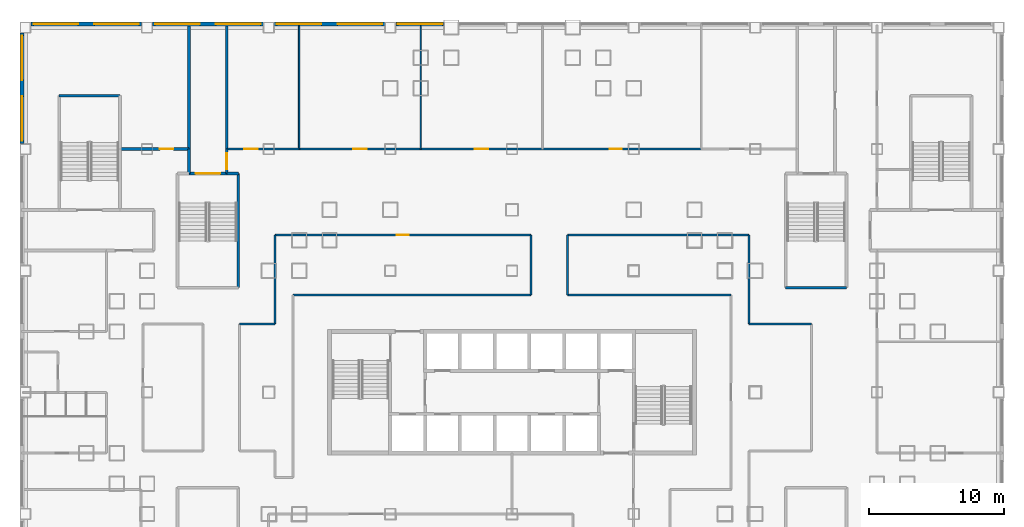
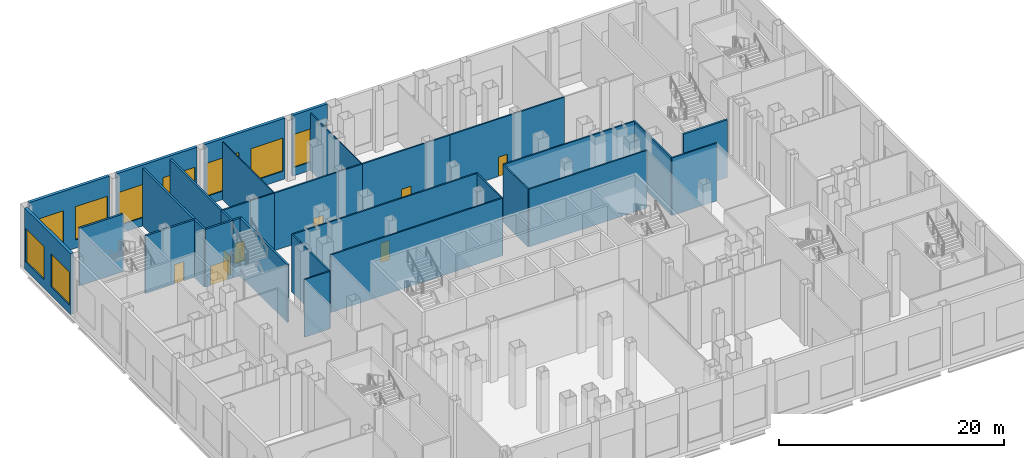
# One storey, part 6 of 26: 31 walls, 9 windows, 8 doors, 17 openings.
"""IFC4 building model written with IfcOpenShell, lengths in metres."""

from ifc_helpers import new_model, si_unit, direction, frame, frame_2d, origin, place, context, subcontext, project, spatial, rectangle, extrude, material, layer, layer_set, type_object, element, fill, save


model = new_model("IFC4")

# Units and contexts
model_context = context("Model", 3, precision=1e-05, world=origin(), true_north=direction((0.0, 1.0)))
body_context = subcontext(model_context, "Body", "Model", "MODEL_VIEW")
ifc_project = project(units=[si_unit("LENGTHUNIT", "METRE"), si_unit("AREAUNIT", "SQUARE_METRE"), si_unit("VOLUMEUNIT", "CUBIC_METRE"), si_unit("PLANEANGLEUNIT", "RADIAN"), si_unit("MASSUNIT", "GRAM", prefix="KILO")], contexts=[model_context])

# Site, building, storey
site_placement = place(None, origin())
site = spatial("IfcSite", under=ifc_project, at=site_placement, CompositionType="ELEMENT")
building_placement = place(site_placement, origin())
building = spatial("IfcBuilding", under=site, at=building_placement, Name="Caravel Reach Hotel and Residences", CompositionType="ELEMENT")
storey_placement = place(building_placement, frame((0.0, 0.0, 17.39990234375)))
storey = spatial("IfcBuildingStorey", under=building, at=storey_placement, Name="L03", CompositionType="ELEMENT", Elevation=17.39990234375)

# Wall, opening, door
ifc_material_1 = material(Name="Autoclaved aerated block wall")
ifc_layer_1 = layer(ifc_material_1, 0.199951171875)
ifc_layer_set_1 = layer_set([ifc_layer_1], Name="Compartment wall 200 mm EI 120")
wall_type_1 = type_object("IfcWallType", Name="Compartment wall 200 mm EI 120", PredefinedType="PARTITIONING", material=ifc_layer_set_1)
wall_1_placement = place(storey_placement, frame((2.5, 45.0, 0.0), z_axis=(0.0, 0.0, 1.0), x_axis=(1.0, 0.0, 0.0)))
wall_1 = element("IfcWall", 1, at=wall_1_placement, inside=storey, type_object=wall_type_1, Name="L03 wall w084", PredefinedType="PARTITIONING", context=body_context, shape_type="SweptSolid", body=[
    extrude(rectangle(XDim=5.10009765625, YDim=0.199951171875, at=frame_2d((2.550048828125, 0.0))), origin(), (0.0, 0.0, 1.0), 6.25),
])
opening_1_placement = place(wall_1_placement, frame((2.949951171875, 0.0, 0.0)))
opening_1 = element("IfcOpeningElement", 2, at=opening_1_placement, cuts=wall_1, Name="Opening D03-033", PredefinedType="OPENING", context=body_context, shape_type="SweptSolid", body=[
    extrude(rectangle(XDim=1.0, YDim=2.10009765625, at=frame_2d((0.5, 1.050048828125))), frame((0.0, 0.10986328125, 0.0), z_axis=(0.0, -1.0, 0.0), x_axis=(1.0, 0.0, 0.0)), (0.0, 0.0, 1.0), 0.219970703125),
])
ifc_material_2 = material(Name="Steel fire door leaf", Category="steel")
door_type_1 = type_object("IfcDoorType", Name="Fire door 1000 x 2100 EI 60", OperationType="SINGLE_SWING_LEFT", PredefinedType="DOOR", material=ifc_material_2)
door_1_placement = place(opening_1_placement, origin())
door_1 = element("IfcDoor", 3, at=door_1_placement, inside=storey, type_object=door_type_1, Name="door D03-033", OperationType="SINGLE_SWING_RIGHT", OverallHeight=2.10009765625, OverallWidth=1.0, PredefinedType="DOOR", context=body_context, shape_type="SweptSolid", body=[
    extrude(rectangle(XDim=1.0, YDim=2.10009765625, at=frame_2d((0.5, 1.050048828125))), frame((0.0, 0.02490234375, 0.0), z_axis=(0.0, -1.0, 0.0), x_axis=(1.0, 0.0, 0.0)), (0.0, 0.0, 1.0), 0.050048828125),
])
fill(opening_1, door_1)

wall_2_placement = place(storey_placement, frame((10.39990234375, 43.199951171875, 0.0), z_axis=(0.0, 0.0, 1.0), x_axis=(0.0, 1.0, 0.0)))
wall_2 = element("IfcWall", 4, at=wall_2_placement, inside=storey, type_object=wall_type_1, Name="L03 wall w085", PredefinedType="PARTITIONING", context=body_context, shape_type="SweptSolid", body=[
    extrude(rectangle(XDim=1.800048828125, YDim=0.199951171875, at=frame_2d((0.89990234375, 0.0))), origin(), (0.0, 0.0, 1.0), 6.25),
])
opening_2_placement = place(wall_2_placement, frame((0.300048828125, 0.0, 0.0)))
opening_2 = element("IfcOpeningElement", 5, at=opening_2_placement, cuts=wall_2, Name="Opening D03-014", PredefinedType="OPENING", context=body_context, shape_type="SweptSolid", body=[
    extrude(rectangle(XDim=1.199951171875, YDim=2.10009765625, at=frame_2d((0.60009765625, 1.050048828125))), frame((0.0, 0.10986328125, 0.0), z_axis=(0.0, -1.0, 0.0), x_axis=(1.0, 0.0, 0.0)), (0.0, 0.0, 1.0), 0.219970703125),
])
ifc_material_3 = material(Name="Steel fire door leaf", Category="steel")
door_type_2 = type_object("IfcDoorType", Name="Fire lobby door 1200 x 2100 EI 90", OperationType="SINGLE_SWING_LEFT", PredefinedType="DOOR", material=ifc_material_3)
door_2_placement = place(opening_2_placement, origin())
door_2 = element("IfcDoor", 6, at=door_2_placement, inside=storey, type_object=door_type_2, Name="door D03-014", OperationType="SINGLE_SWING_LEFT", OverallHeight=2.10009765625, OverallWidth=1.199951171875, PredefinedType="DOOR", context=body_context, shape_type="SweptSolid", body=[
    extrude(rectangle(XDim=1.199951171875, YDim=2.10009765625, at=frame_2d((0.60009765625, 1.050048828125))), frame((0.0, 0.02490234375, 0.0), z_axis=(0.0, -1.0, 0.0), x_axis=(1.0, 0.0, 0.0)), (0.0, 0.0, 1.0), 0.050048828125),
])
fill(opening_2, door_2)

# Walls
wall_3_placement = place(storey_placement, frame((10.39990234375, 45.0, 0.0), z_axis=(0.0, 0.0, 1.0), x_axis=(0.0, 1.0, 0.0)))
element("IfcWall", 7, at=wall_3_placement, inside=storey, type_object=wall_type_1, Name="L03 wall w086", PredefinedType="PARTITIONING", context=body_context, shape_type="SweptSolid", body=[
    extrude(rectangle(XDim=9.1201171875, YDim=0.199951171875, at=frame_2d((4.56005859375, 0.0))), origin(), (0.0, 0.0, 1.0), 6.25),
])
wall_4_placement = place(storey_placement, frame((7.60009765625, 43.199951171875, 0.0), z_axis=(0.0, 0.0, 1.0), x_axis=(0.0, 1.0, 0.0)))
element("IfcWall", 8, at=wall_4_placement, inside=storey, type_object=wall_type_1, Name="L03 wall w096", PredefinedType="PARTITIONING", context=body_context, shape_type="SweptSolid", body=[
    extrude(rectangle(XDim=1.800048828125, YDim=0.199951171875, at=frame_2d((0.89990234375, 0.0))), origin(), (0.0, 0.0, 1.0), 6.25),
])
wall_5_placement = place(storey_placement, frame((7.60009765625, 45.0, 0.0), z_axis=(0.0, 0.0, 1.0), x_axis=(0.0, 1.0, 0.0)))
element("IfcWall", 9, at=wall_5_placement, inside=storey, type_object=wall_type_1, Name="L03 wall w097", PredefinedType="PARTITIONING", context=body_context, shape_type="SweptSolid", body=[
    extrude(rectangle(XDim=9.1201171875, YDim=0.199951171875, at=frame_2d((4.56005859375, 0.0))), origin(), (0.0, 0.0, 1.0), 6.25),
])
ifc_material_4 = material(Name="Gypsum board on steel stud, fire-rated", Category="steel")
ifc_layer_2 = layer(ifc_material_4, 0.14990234375)
ifc_layer_set_2 = layer_set([ifc_layer_2], Name="Corridor wall 150 mm EI 60")
wall_type_2 = type_object("IfcWallType", Name="Corridor wall 150 mm EI 60", PredefinedType="PARTITIONING", material=ifc_layer_set_2)
wall_6_placement = place(storey_placement, frame((49.050048828125, 32.050048828125, 0.0), z_axis=(0.0, 0.0, 1.0), x_axis=(1.0, 0.0, 0.0)))
element("IfcWall", 10, at=wall_6_placement, inside=storey, type_object=wall_type_2, Name="L03 wall w018", PredefinedType="PARTITIONING", context=body_context, shape_type="SweptSolid", body=[
    extrude(rectangle(XDim=4.599853515625, YDim=0.14990234375, at=frame_2d((2.2998046875, 0.0))), origin(), (0.0, 0.0, 1.0), 6.25),
])
wall_7_placement = place(storey_placement, frame((11.35009765625, 32.050048828125, 0.0), z_axis=(0.0, 0.0, 1.0), x_axis=(1.0, 0.0, 0.0)))
element("IfcWall", 11, at=wall_7_placement, inside=storey, type_object=wall_type_2, Name="L03 wall w019", PredefinedType="PARTITIONING", context=body_context, shape_type="SweptSolid", body=[
    extrude(rectangle(XDim=2.599853515625, YDim=0.14990234375, at=frame_2d((1.2998046875, 0.0))), origin(), (0.0, 0.0, 1.0), 6.25),
])
wall_8_placement = place(storey_placement, frame((35.60009765625, 34.199951171875, 0.0), z_axis=(0.0, 0.0, 1.0), x_axis=(1.0, 0.0, 0.0)))
element("IfcWall", 12, at=wall_8_placement, inside=storey, type_object=wall_type_2, Name="L03 wall w021", PredefinedType="PARTITIONING", context=body_context, shape_type="SweptSolid", body=[
    extrude(rectangle(XDim=12.099853515625, YDim=0.14990234375, at=frame_2d((6.0498046875, 0.0))), origin(), (0.0, 0.0, 1.0), 6.25),
])
wall_9_placement = place(storey_placement, frame((15.300048828125, 34.199951171875, 0.0), z_axis=(0.0, 0.0, 1.0), x_axis=(1.0, 0.0, 0.0)))
element("IfcWall", 13, at=wall_9_placement, inside=storey, type_object=wall_type_2, Name="L03 wall w022", PredefinedType="PARTITIONING", context=body_context, shape_type="SweptSolid", body=[
    extrude(rectangle(XDim=17.599853515625, YDim=0.14990234375, at=frame_2d((8.7998046875, 0.0))), origin(), (0.0, 0.0, 1.0), 6.25),
])
wall_10_placement = place(storey_placement, frame((35.60009765625, 38.64990234375, 0.0), z_axis=(0.0, 0.0, 1.0), x_axis=(1.0, 0.0, 0.0)))
element("IfcWall", 14, at=wall_10_placement, inside=storey, type_object=wall_type_2, Name="L03 wall w023", PredefinedType="PARTITIONING", context=body_context, shape_type="SweptSolid", body=[
    extrude(rectangle(XDim=13.449951171875, YDim=0.14990234375, at=frame_2d((6.72509765625, 0.0))), origin(), (0.0, 0.0, 1.0), 6.25),
])

# Wall, opening, door
wall_11_placement = place(storey_placement, frame((13.949951171875, 38.64990234375, 0.0), z_axis=(0.0, 0.0, 1.0), x_axis=(1.0, 0.0, 0.0)))
wall_11 = element("IfcWall", 15, at=wall_11_placement, inside=storey, type_object=wall_type_2, Name="L03 wall w024", PredefinedType="PARTITIONING", context=body_context, shape_type="SweptSolid", body=[
    extrude(rectangle(XDim=18.949951171875, YDim=0.14990234375, at=frame_2d((9.47509765625, 0.0))), origin(), (0.0, 0.0, 1.0), 6.25),
])
opening_3_placement = place(wall_11_placement, frame((9.02490234375, 0.0, 0.0)))
opening_3 = element("IfcOpeningElement", 16, at=opening_3_placement, cuts=wall_11, Name="Opening D03-046", PredefinedType="OPENING", context=body_context, shape_type="SweptSolid", body=[
    extrude(rectangle(XDim=0.89990234375, YDim=2.10009765625, at=frame_2d((0.449951171875, 1.050048828125))), frame((0.0, 0.0849609375, 0.0), z_axis=(0.0, -1.0, 0.0), x_axis=(1.0, 0.0, 0.0)), (0.0, 0.0, 1.0), 0.169921875),
])
ifc_material_5 = material(Name="Timber and steel door leaf", Category="steel")
door_type_3 = type_object("IfcDoorType", Name="Door 900 x 2100 timber", OperationType="SINGLE_SWING_LEFT", PredefinedType="DOOR", material=ifc_material_5)
door_3_placement = place(opening_3_placement, origin())
door_3 = element("IfcDoor", 17, at=door_3_placement, inside=storey, type_object=door_type_3, Name="door D03-046", OperationType="SINGLE_SWING_RIGHT", OverallHeight=2.10009765625, OverallWidth=0.89990234375, PredefinedType="DOOR", context=body_context, shape_type="SweptSolid", body=[
    extrude(rectangle(XDim=0.89990234375, YDim=2.10009765625, at=frame_2d((0.449951171875, 1.050048828125))), frame((0.0, 0.02490234375, 0.0), z_axis=(0.0, -1.0, 0.0), x_axis=(1.0, 0.0, 0.0)), (0.0, 0.0, 1.0), 0.050048828125),
])
fill(opening_3, door_3)

wall_12_placement = place(storey_placement, frame((10.39990234375, 45.0, 0.0), z_axis=(0.0, 0.0, 1.0), x_axis=(1.0, 0.0, 0.0)))
wall_12 = element("IfcWall", 18, at=wall_12_placement, inside=storey, type_object=wall_type_2, Name="L03 wall w025", PredefinedType="PARTITIONING", context=body_context, shape_type="SweptSolid", body=[
    extrude(rectangle(XDim=5.35009765625, YDim=0.14990234375, at=frame_2d((2.675048828125, 0.0))), origin(), (0.0, 0.0, 1.0), 6.25),
])
opening_4_placement = place(wall_12_placement, frame((1.27490234375, 0.0, 0.0)))
opening_4 = element("IfcOpeningElement", 19, at=opening_4_placement, cuts=wall_12, Name="Opening D03-034", PredefinedType="OPENING", context=body_context, shape_type="SweptSolid", body=[
    extrude(rectangle(XDim=1.0, YDim=2.10009765625, at=frame_2d((0.5, 1.050048828125))), frame((0.0, 0.0849609375, 0.0), z_axis=(0.0, -1.0, 0.0), x_axis=(1.0, 0.0, 0.0)), (0.0, 0.0, 1.0), 0.169921875),
])
door_4_placement = place(opening_4_placement, origin())
door_4 = element("IfcDoor", 20, at=door_4_placement, inside=storey, type_object=door_type_1, Name="door D03-034", OperationType="SINGLE_SWING_LEFT", OverallHeight=2.10009765625, OverallWidth=1.0, PredefinedType="DOOR", context=body_context, shape_type="SweptSolid", body=[
    extrude(rectangle(XDim=1.0, YDim=2.10009765625, at=frame_2d((0.5, 1.050048828125))), frame((0.0, 0.02490234375, 0.0), z_axis=(0.0, -1.0, 0.0), x_axis=(1.0, 0.0, 0.0)), (0.0, 0.0, 1.0), 0.050048828125),
])
fill(opening_4, door_4)

wall_13_placement = place(storey_placement, frame((15.75, 45.0, 0.0), z_axis=(0.0, 0.0, 1.0), x_axis=(1.0, 0.0, 0.0)))
wall_13 = element("IfcWall", 21, at=wall_13_placement, inside=storey, type_object=wall_type_2, Name="L03 wall w026", PredefinedType="PARTITIONING", context=body_context, shape_type="SweptSolid", body=[
    extrude(rectangle(XDim=9.0, YDim=0.14990234375, at=frame_2d((4.5, 0.0))), origin(), (0.0, 0.0, 1.0), 6.25),
])
opening_5_placement = place(wall_13_placement, frame((4.0, 0.0, 0.0)))
opening_5 = element("IfcOpeningElement", 22, at=opening_5_placement, cuts=wall_13, Name="Opening D03-035", PredefinedType="OPENING", context=body_context, shape_type="SweptSolid", body=[
    extrude(rectangle(XDim=1.0, YDim=2.10009765625, at=frame_2d((0.5, 1.050048828125))), frame((0.0, 0.0849609375, 0.0), z_axis=(0.0, -1.0, 0.0), x_axis=(1.0, 0.0, 0.0)), (0.0, 0.0, 1.0), 0.169921875),
])
door_5_placement = place(opening_5_placement, origin())
door_5 = element("IfcDoor", 23, at=door_5_placement, inside=storey, type_object=door_type_1, Name="door D03-035", OperationType="SINGLE_SWING_RIGHT", OverallHeight=2.10009765625, OverallWidth=1.0, PredefinedType="DOOR", context=body_context, shape_type="SweptSolid", body=[
    extrude(rectangle(XDim=1.0, YDim=2.10009765625, at=frame_2d((0.5, 1.050048828125))), frame((0.0, 0.02490234375, 0.0), z_axis=(0.0, -1.0, 0.0), x_axis=(1.0, 0.0, 0.0)), (0.0, 0.0, 1.0), 0.050048828125),
])
fill(opening_5, door_5)

wall_14_placement = place(storey_placement, frame((24.75, 45.0, 0.0), z_axis=(0.0, 0.0, 1.0), x_axis=(1.0, 0.0, 0.0)))
wall_14 = element("IfcWall", 24, at=wall_14_placement, inside=storey, type_object=wall_type_2, Name="L03 wall w027", PredefinedType="PARTITIONING", context=body_context, shape_type="SweptSolid", body=[
    extrude(rectangle(XDim=9.0, YDim=0.14990234375, at=frame_2d((4.5, 0.0))), origin(), (0.0, 0.0, 1.0), 6.25),
])
opening_6_placement = place(wall_14_placement, frame((4.0, 0.0, 0.0)))
opening_6 = element("IfcOpeningElement", 25, at=opening_6_placement, cuts=wall_14, Name="Opening D03-036", PredefinedType="OPENING", context=body_context, shape_type="SweptSolid", body=[
    extrude(rectangle(XDim=1.0, YDim=2.10009765625, at=frame_2d((0.5, 1.050048828125))), frame((0.0, 0.0849609375, 0.0), z_axis=(0.0, -1.0, 0.0), x_axis=(1.0, 0.0, 0.0)), (0.0, 0.0, 1.0), 0.169921875),
])
door_6_placement = place(opening_6_placement, origin())
door_6 = element("IfcDoor", 26, at=door_6_placement, inside=storey, type_object=door_type_1, Name="door D03-036", OperationType="SINGLE_SWING_RIGHT", OverallHeight=2.10009765625, OverallWidth=1.0, PredefinedType="DOOR", context=body_context, shape_type="SweptSolid", body=[
    extrude(rectangle(XDim=1.0, YDim=2.10009765625, at=frame_2d((0.5, 1.050048828125))), frame((0.0, 0.02490234375, 0.0), z_axis=(0.0, -1.0, 0.0), x_axis=(1.0, 0.0, 0.0)), (0.0, 0.0, 1.0), 0.050048828125),
])
fill(opening_6, door_6)

wall_15_placement = place(storey_placement, frame((33.75, 45.0, 0.0), z_axis=(0.0, 0.0, 1.0), x_axis=(1.0, 0.0, 0.0)))
wall_15 = element("IfcWall", 27, at=wall_15_placement, inside=storey, type_object=wall_type_2, Name="L03 wall w028", PredefinedType="PARTITIONING", context=body_context, shape_type="SweptSolid", body=[
    extrude(rectangle(XDim=11.75, YDim=0.14990234375, at=frame_2d((5.875, 0.0))), origin(), (0.0, 0.0, 1.0), 6.25),
])
opening_7_placement = place(wall_15_placement, frame((4.97509765625, 0.0, 0.0)))
opening_7 = element("IfcOpeningElement", 28, at=opening_7_placement, cuts=wall_15, Name="Opening D03-037", PredefinedType="OPENING", context=body_context, shape_type="SweptSolid", body=[
    extrude(rectangle(XDim=0.89990234375, YDim=2.10009765625, at=frame_2d((0.449951171875, 1.050048828125))), frame((0.0, 0.0849609375, 0.0), z_axis=(0.0, -1.0, 0.0), x_axis=(1.0, 0.0, 0.0)), (0.0, 0.0, 1.0), 0.169921875),
])
door_7_placement = place(opening_7_placement, origin())
door_7 = element("IfcDoor", 29, at=door_7_placement, inside=storey, type_object=door_type_3, Name="door D03-037", OperationType="SINGLE_SWING_LEFT", OverallHeight=2.10009765625, OverallWidth=0.89990234375, PredefinedType="DOOR", context=body_context, shape_type="SweptSolid", body=[
    extrude(rectangle(XDim=0.89990234375, YDim=2.10009765625, at=frame_2d((0.449951171875, 1.050048828125))), frame((0.0, 0.02490234375, 0.0), z_axis=(0.0, -1.0, 0.0), x_axis=(1.0, 0.0, 0.0)), (0.0, 0.0, 1.0), 0.050048828125),
])
fill(opening_7, door_7)

# Walls
wall_16_placement = place(storey_placement, frame((13.949951171875, 32.050048828125, 0.0), z_axis=(0.0, 0.0, 1.0), x_axis=(0.0, 1.0, 0.0)))
element("IfcWall", 30, at=wall_16_placement, inside=storey, type_object=wall_type_2, Name="L03 wall w037", PredefinedType="PARTITIONING", context=body_context, shape_type="SweptSolid", body=[
    extrude(rectangle(XDim=6.599853515625, YDim=0.14990234375, at=frame_2d((3.2998046875, 0.0))), origin(), (0.0, 0.0, 1.0), 6.25),
])
for number, where, z_axis, x_axis, name in (
    (31, (32.89990234375, 34.199951171875, 0.0), (0.0, 0.0, 1.0), (0.0, 1.0, 0.0), "L03 wall w040"),
    (32, (35.60009765625, 34.199951171875, 0.0), (0.0, 0.0, 1.0), (0.0, 1.0, 0.0), "L03 wall w041"),
):
    element("IfcWall", number, at=place(storey_placement, frame(where, z_axis=z_axis, x_axis=x_axis)), inside=storey, type_object=wall_type_2, Name=name, PredefinedType="PARTITIONING", context=body_context, shape_type="SweptSolid", body=[
        extrude(rectangle(XDim=4.449951171875, YDim=0.14990234375, at=frame_2d((2.22509765625, 0.0))), origin(), (0.0, 0.0, 1.0), 6.25),
    ])
wall_17_placement = place(storey_placement, frame((49.050048828125, 32.050048828125, 0.0), z_axis=(0.0, 0.0, 1.0), x_axis=(0.0, 1.0, 0.0)))
element("IfcWall", 33, at=wall_17_placement, inside=storey, type_object=wall_type_2, Name="L03 wall w049", PredefinedType="PARTITIONING", context=body_context, shape_type="SweptSolid", body=[
    extrude(rectangle(XDim=6.599853515625, YDim=0.14990234375, at=frame_2d((3.2998046875, 0.0))), origin(), (0.0, 0.0, 1.0), 6.25),
])

# Wall, opening, window
ifc_material_6 = material(Name="Insulated wall, stone cladding", Category="masonry")
ifc_layer_3 = layer(ifc_material_6, 0.300048828125)
ifc_layer_set_3 = layer_set([ifc_layer_3], Name="EW2 Podium stone-clad wall")
wall_type_3 = type_object("IfcWallType", Name="EW2 Podium stone-clad wall", PredefinedType="SOLIDWALL", material=ifc_layer_set_3)
wall_18_placement = place(storey_placement, frame((26.449951171875, 54.25, 0.0), z_axis=(0.0, 0.0, 1.0), x_axis=(-1.0, 0.0, 0.0)))
wall_18 = element("IfcWall", 34, at=wall_18_placement, inside=storey, type_object=wall_type_3, Name="External wall L03 N2.7", PredefinedType="SOLIDWALL", context=body_context, shape_type="SweptSolid", body=[
    extrude(rectangle(XDim=3.550048828125, YDim=0.300048828125, at=frame_2d((1.77490234375, 0.0))), origin(), (0.0, 0.0, 1.0), 6.60009765625),
])
opening_8_placement = place(wall_18_placement, frame((0.10009765625, 0.0, 0.89990234375)))
opening_8 = element("IfcOpeningElement", 35, at=opening_8_placement, cuts=wall_18, Name="Opening WN31", PredefinedType="OPENING", context=body_context, shape_type="SweptSolid", body=[
    extrude(rectangle(XDim=3.300048828125, YDim=3.60009765625, at=frame_2d((1.64990234375, 1.800048828125))), frame((0.0, 0.159912109375, 0.0), z_axis=(0.0, -1.0, 0.0), x_axis=(1.0, 0.0, 0.0)), (0.0, 0.0, 1.0), 0.320068359375),
])
ifc_material_7 = material(Name="Dark low-e glazing in black aluminium frame", Category="aluminium")
window_type = type_object("IfcWindowType", Name="Podium window 3300 x 3600", PartitioningType="SINGLE_PANEL", PredefinedType="WINDOW", material=ifc_material_7)
window_1_placement = place(opening_8_placement, origin())
window_1 = element("IfcWindow", 36, at=window_1_placement, inside=storey, type_object=window_type, Name="Window L03 N2.7.1", OverallHeight=3.60009765625, OverallWidth=3.300048828125, PartitioningType="SINGLE_PANEL", PredefinedType="WINDOW", context=body_context, shape_type="SweptSolid", body=[
    extrude(rectangle(XDim=3.300048828125, YDim=3.60009765625, at=frame_2d((1.64990234375, 1.800048828125))), frame((0.0, 0.030029296875, 0.0), z_axis=(0.0, -1.0, 0.0), x_axis=(1.0, 0.0, 0.0)), (0.0, 0.0, 1.0), 0.06005859375),
])
fill(opening_8, window_1)

# Wall, openings, windows
wall_19_placement = place(storey_placement, frame((22.10009765625, 54.25, 0.0), z_axis=(0.0, 0.0, 1.0), x_axis=(-1.0, 0.0, 0.0)))
wall_19 = element("IfcWall", 37, at=wall_19_placement, inside=storey, type_object=wall_type_3, Name="External wall L03 N2.8", PredefinedType="SOLIDWALL", context=body_context, shape_type="SweptSolid", body=[
    extrude(rectangle(XDim=8.2001953125, YDim=0.300048828125, at=frame_2d((4.10009765625, 0.0))), origin(), (0.0, 0.0, 1.0), 6.60009765625),
])
opening_9_placement = place(wall_19_placement, frame((0.199951171875, 0.0, 0.89990234375)))
opening_9 = element("IfcOpeningElement", 38, at=opening_9_placement, cuts=wall_19, Name="Opening WN31", PredefinedType="OPENING", context=body_context, shape_type="SweptSolid", body=[
    extrude(rectangle(XDim=3.300048828125, YDim=3.60009765625, at=frame_2d((1.64990234375, 1.800048828125))), frame((0.0, 0.159912109375, 0.0), z_axis=(0.0, -1.0, 0.0), x_axis=(1.0, 0.0, 0.0)), (0.0, 0.0, 1.0), 0.320068359375),
])
opening_10_placement = place(wall_19_placement, frame((4.699951171875, 0.0, 0.89990234375)))
opening_10 = element("IfcOpeningElement", 39, at=opening_10_placement, cuts=wall_19, Name="Opening WN31", PredefinedType="OPENING", context=body_context, shape_type="SweptSolid", body=[
    extrude(rectangle(XDim=3.300048828125, YDim=3.60009765625, at=frame_2d((1.64990234375, 1.800048828125))), frame((0.0, 0.159912109375, 0.0), z_axis=(0.0, -1.0, 0.0), x_axis=(1.0, 0.0, 0.0)), (0.0, 0.0, 1.0), 0.320068359375),
])
window_2_placement = place(opening_9_placement, origin())
window_2 = element("IfcWindow", 40, at=window_2_placement, inside=storey, type_object=window_type, Name="Window L03 N2.8.1", OverallHeight=3.60009765625, OverallWidth=3.300048828125, PartitioningType="SINGLE_PANEL", PredefinedType="WINDOW", context=body_context, shape_type="SweptSolid", body=[
    extrude(rectangle(XDim=3.300048828125, YDim=3.60009765625, at=frame_2d((1.64990234375, 1.800048828125))), frame((0.0, 0.030029296875, 0.0), z_axis=(0.0, -1.0, 0.0), x_axis=(1.0, 0.0, 0.0)), (0.0, 0.0, 1.0), 0.06005859375),
])
fill(opening_9, window_2)
window_3_placement = place(opening_10_placement, origin())
window_3 = element("IfcWindow", 41, at=window_3_placement, inside=storey, type_object=window_type, Name="Window L03 N2.8.2", OverallHeight=3.60009765625, OverallWidth=3.300048828125, PartitioningType="SINGLE_PANEL", PredefinedType="WINDOW", context=body_context, shape_type="SweptSolid", body=[
    extrude(rectangle(XDim=3.300048828125, YDim=3.60009765625, at=frame_2d((1.64990234375, 1.800048828125))), frame((0.0, 0.030029296875, 0.0), z_axis=(0.0, -1.0, 0.0), x_axis=(1.0, 0.0, 0.0)), (0.0, 0.0, 1.0), 0.06005859375),
])
fill(opening_10, window_3)

wall_20_placement = place(storey_placement, frame((13.10009765625, 54.25, 0.0), z_axis=(0.0, 0.0, 1.0), x_axis=(-1.0, 0.0, 0.0)))
wall_20 = element("IfcWall", 42, at=wall_20_placement, inside=storey, type_object=wall_type_3, Name="External wall L03 N2.9", PredefinedType="SOLIDWALL", context=body_context, shape_type="SweptSolid", body=[
    extrude(rectangle(XDim=8.2001953125, YDim=0.300048828125, at=frame_2d((4.10009765625, 0.0))), origin(), (0.0, 0.0, 1.0), 6.60009765625),
])
opening_11_placement = place(wall_20_placement, frame((0.199951171875, 0.0, 0.89990234375)))
opening_11 = element("IfcOpeningElement", 43, at=opening_11_placement, cuts=wall_20, Name="Opening WN31", PredefinedType="OPENING", context=body_context, shape_type="SweptSolid", body=[
    extrude(rectangle(XDim=3.300048828125, YDim=3.60009765625, at=frame_2d((1.64990234375, 1.800048828125))), frame((0.0, 0.159912109375, 0.0), z_axis=(0.0, -1.0, 0.0), x_axis=(1.0, 0.0, 0.0)), (0.0, 0.0, 1.0), 0.320068359375),
])
opening_12_placement = place(wall_20_placement, frame((4.699951171875, 0.0, 0.89990234375)))
opening_12 = element("IfcOpeningElement", 44, at=opening_12_placement, cuts=wall_20, Name="Opening WN31", PredefinedType="OPENING", context=body_context, shape_type="SweptSolid", body=[
    extrude(rectangle(XDim=3.300048828125, YDim=3.60009765625, at=frame_2d((1.64990234375, 1.800048828125))), frame((0.0, 0.159912109375, 0.0), z_axis=(0.0, -1.0, 0.0), x_axis=(1.0, 0.0, 0.0)), (0.0, 0.0, 1.0), 0.320068359375),
])
window_4_placement = place(opening_11_placement, origin())
window_4 = element("IfcWindow", 45, at=window_4_placement, inside=storey, type_object=window_type, Name="Window L03 N2.9.1", OverallHeight=3.60009765625, OverallWidth=3.300048828125, PartitioningType="SINGLE_PANEL", PredefinedType="WINDOW", context=body_context, shape_type="SweptSolid", body=[
    extrude(rectangle(XDim=3.300048828125, YDim=3.60009765625, at=frame_2d((1.64990234375, 1.800048828125))), frame((0.0, 0.030029296875, 0.0), z_axis=(0.0, -1.0, 0.0), x_axis=(1.0, 0.0, 0.0)), (0.0, 0.0, 1.0), 0.06005859375),
])
fill(opening_11, window_4)
window_5_placement = place(opening_12_placement, origin())
window_5 = element("IfcWindow", 46, at=window_5_placement, inside=storey, type_object=window_type, Name="Window L03 N2.9.2", OverallHeight=3.60009765625, OverallWidth=3.300048828125, PartitioningType="SINGLE_PANEL", PredefinedType="WINDOW", context=body_context, shape_type="SweptSolid", body=[
    extrude(rectangle(XDim=3.300048828125, YDim=3.60009765625, at=frame_2d((1.64990234375, 1.800048828125))), frame((0.0, 0.030029296875, 0.0), z_axis=(0.0, -1.0, 0.0), x_axis=(1.0, 0.0, 0.0)), (0.0, 0.0, 1.0), 0.06005859375),
])
fill(opening_12, window_5)

wall_21_placement = place(storey_placement, frame((4.10009765625, 54.25, 0.0), z_axis=(0.0, 0.0, 1.0), x_axis=(-1.0, 0.0, 0.0)))
wall_21 = element("IfcWall", 47, at=wall_21_placement, inside=storey, type_object=wall_type_3, Name="External wall L03 N2.10", PredefinedType="SOLIDWALL", context=body_context, shape_type="SweptSolid", body=[
    extrude(rectangle(XDim=8.2001953125, YDim=0.300048828125, at=frame_2d((4.10009765625, 0.0))), origin(), (0.0, 0.0, 1.0), 6.60009765625),
])
opening_13_placement = place(wall_21_placement, frame((0.199951171875, 0.0, 0.89990234375)))
opening_13 = element("IfcOpeningElement", 48, at=opening_13_placement, cuts=wall_21, Name="Opening WN31", PredefinedType="OPENING", context=body_context, shape_type="SweptSolid", body=[
    extrude(rectangle(XDim=3.300048828125, YDim=3.60009765625, at=frame_2d((1.64990234375, 1.800048828125))), frame((0.0, 0.159912109375, 0.0), z_axis=(0.0, -1.0, 0.0), x_axis=(1.0, 0.0, 0.0)), (0.0, 0.0, 1.0), 0.320068359375),
])
opening_14_placement = place(wall_21_placement, frame((4.699951171875, 0.0, 0.89990234375)))
opening_14 = element("IfcOpeningElement", 49, at=opening_14_placement, cuts=wall_21, Name="Opening WN31", PredefinedType="OPENING", context=body_context, shape_type="SweptSolid", body=[
    extrude(rectangle(XDim=3.300048828125, YDim=3.60009765625, at=frame_2d((1.64990234375, 1.800048828125))), frame((0.0, 0.159912109375, 0.0), z_axis=(0.0, -1.0, 0.0), x_axis=(1.0, 0.0, 0.0)), (0.0, 0.0, 1.0), 0.320068359375),
])
window_6_placement = place(opening_13_placement, origin())
window_6 = element("IfcWindow", 50, at=window_6_placement, inside=storey, type_object=window_type, Name="Window L03 N2.10.1", OverallHeight=3.60009765625, OverallWidth=3.300048828125, PartitioningType="SINGLE_PANEL", PredefinedType="WINDOW", context=body_context, shape_type="SweptSolid", body=[
    extrude(rectangle(XDim=3.300048828125, YDim=3.60009765625, at=frame_2d((1.64990234375, 1.800048828125))), frame((0.0, 0.030029296875, 0.0), z_axis=(0.0, -1.0, 0.0), x_axis=(1.0, 0.0, 0.0)), (0.0, 0.0, 1.0), 0.06005859375),
])
fill(opening_13, window_6)
window_7_placement = place(opening_14_placement, origin())
window_7 = element("IfcWindow", 51, at=window_7_placement, inside=storey, type_object=window_type, Name="Window L03 N2.10.2", OverallHeight=3.60009765625, OverallWidth=3.300048828125, PartitioningType="SINGLE_PANEL", PredefinedType="WINDOW", context=body_context, shape_type="SweptSolid", body=[
    extrude(rectangle(XDim=3.300048828125, YDim=3.60009765625, at=frame_2d((1.64990234375, 1.800048828125))), frame((0.0, 0.030029296875, 0.0), z_axis=(0.0, -1.0, 0.0), x_axis=(1.0, 0.0, 0.0)), (0.0, 0.0, 1.0), 0.06005859375),
])
fill(opening_14, window_7)

wall_22_placement = place(storey_placement, frame((-4.75, 53.60009765625, 0.0), z_axis=(0.0, 0.0, 1.0), x_axis=(0.0, -1.0, 0.0)))
wall_22 = element("IfcWall", 52, at=wall_22_placement, inside=storey, type_object=wall_type_3, Name="External wall L03 W3.1", PredefinedType="SOLIDWALL", context=body_context, shape_type="SweptSolid", body=[
    extrude(rectangle(XDim=8.2001953125, YDim=0.300048828125, at=frame_2d((4.10009765625, 0.0))), origin(), (0.0, 0.0, 1.0), 6.60009765625),
])
opening_15_placement = place(wall_22_placement, frame((0.199951171875, 0.0, 0.89990234375)))
opening_15 = element("IfcOpeningElement", 53, at=opening_15_placement, cuts=wall_22, Name="Opening WN31", PredefinedType="OPENING", context=body_context, shape_type="SweptSolid", body=[
    extrude(rectangle(XDim=3.300048828125, YDim=3.60009765625, at=frame_2d((1.64990234375, 1.800048828125))), frame((0.0, 0.159912109375, 0.0), z_axis=(0.0, -1.0, 0.0), x_axis=(1.0, 0.0, 0.0)), (0.0, 0.0, 1.0), 0.320068359375),
])
opening_16_placement = place(wall_22_placement, frame((4.699951171875, 0.0, 0.89990234375)))
opening_16 = element("IfcOpeningElement", 54, at=opening_16_placement, cuts=wall_22, Name="Opening WN31", PredefinedType="OPENING", context=body_context, shape_type="SweptSolid", body=[
    extrude(rectangle(XDim=3.300048828125, YDim=3.60009765625, at=frame_2d((1.64990234375, 1.800048828125))), frame((0.0, 0.159912109375, 0.0), z_axis=(0.0, -1.0, 0.0), x_axis=(1.0, 0.0, 0.0)), (0.0, 0.0, 1.0), 0.320068359375),
])
window_8_placement = place(opening_15_placement, origin())
window_8 = element("IfcWindow", 55, at=window_8_placement, inside=storey, type_object=window_type, Name="Window L03 W3.1.1", OverallHeight=3.60009765625, OverallWidth=3.300048828125, PartitioningType="SINGLE_PANEL", PredefinedType="WINDOW", context=body_context, shape_type="SweptSolid", body=[
    extrude(rectangle(XDim=3.300048828125, YDim=3.60009765625, at=frame_2d((1.64990234375, 1.800048828125))), frame((0.0, 0.030029296875, 0.0), z_axis=(0.0, -1.0, 0.0), x_axis=(1.0, 0.0, 0.0)), (0.0, 0.0, 1.0), 0.06005859375),
])
fill(opening_15, window_8)
window_9_placement = place(opening_16_placement, origin())
window_9 = element("IfcWindow", 56, at=window_9_placement, inside=storey, type_object=window_type, Name="Window L03 W3.1.2", OverallHeight=3.60009765625, OverallWidth=3.300048828125, PartitioningType="SINGLE_PANEL", PredefinedType="WINDOW", context=body_context, shape_type="SweptSolid", body=[
    extrude(rectangle(XDim=3.300048828125, YDim=3.60009765625, at=frame_2d((1.64990234375, 1.800048828125))), frame((0.0, 0.030029296875, 0.0), z_axis=(0.0, -1.0, 0.0), x_axis=(1.0, 0.0, 0.0)), (0.0, 0.0, 1.0), 0.06005859375),
])
fill(opening_16, window_9)

# Walls
ifc_material_8 = material(Name="Gypsum board on steel stud", Category="steel")
ifc_layer_4 = layer(ifc_material_8, 0.10009765625)
ifc_layer_set_4 = layer_set([ifc_layer_4], Name="Partition 100 mm")
wall_type_4 = type_object("IfcWallType", Name="Partition 100 mm", PredefinedType="PARTITIONING", material=ifc_layer_set_4)
for number, where, z_axis, x_axis, name in (
    (57, (15.75, 45.0, 0.0), (0.0, 0.0, 1.0), (0.0, 1.0, 0.0), "L03 wall w064"),
    (58, (24.75, 45.0, 0.0), (0.0, 0.0, 1.0), (0.0, 1.0, 0.0), "L03 wall w065"),
):
    element("IfcWall", number, at=place(storey_placement, frame(where, z_axis=z_axis, x_axis=x_axis)), inside=storey, type_object=wall_type_4, Name=name, PredefinedType="PARTITIONING", context=body_context, shape_type="SweptSolid", body=[
        extrude(rectangle(XDim=9.1201171875, YDim=0.10009765625, at=frame_2d((4.56005859375, 0.0))), origin(), (0.0, 0.0, 1.0), 6.25),
    ])
ifc_material_9 = material(Name="Concrete C60", Category="concrete")
ifc_layer_5 = layer(ifc_material_9, 0.199951171875)
ifc_layer_set_5 = layer_set([ifc_layer_5], Name="Stair enclosure wall 200 mm EI 120")
wall_type_5 = type_object("IfcWallType", Name="Stair enclosure wall 200 mm EI 120", PredefinedType="SHEAR", material=ifc_layer_set_5)
wall_23_placement = place(storey_placement, frame((51.75, 34.75, 0.0), z_axis=(0.0, 0.0, 1.0), x_axis=(1.0, 0.0, 0.0)))
element("IfcWall", 59, at=wall_23_placement, inside=storey, type_object=wall_type_5, Name="L03 wall w109", PredefinedType="SHEAR", context=body_context, shape_type="SweptSolid", body=[
    extrude(rectangle(XDim=4.5, YDim=0.199951171875, at=frame_2d((2.25, 0.0))), origin(), (0.0, 0.0, 1.0), 6.25),
])
wall_24_placement = place(storey_placement, frame((10.39990234375, 43.199951171875, 0.0), z_axis=(0.0, 0.0, 1.0), x_axis=(1.0, 0.0, 0.0)))
element("IfcWall", 60, at=wall_24_placement, inside=storey, type_object=wall_type_5, Name="L03 wall w113", PredefinedType="SHEAR", context=body_context, shape_type="SweptSolid", body=[
    extrude(rectangle(XDim=0.85009765625, YDim=0.199951171875, at=frame_2d((0.425048828125, 0.0))), origin(), (0.0, 0.0, 1.0), 6.25),
])

# Wall, opening, door
wall_25_placement = place(storey_placement, frame((7.60009765625, 43.199951171875, 0.0), z_axis=(0.0, 0.0, 1.0), x_axis=(1.0, 0.0, 0.0)))
wall_25 = element("IfcWall", 61, at=wall_25_placement, inside=storey, type_object=wall_type_5, Name="L03 wall w114", PredefinedType="SHEAR", context=body_context, shape_type="SweptSolid", body=[
    extrude(rectangle(XDim=2.7998046875, YDim=0.199951171875, at=frame_2d((1.39990234375, 0.0))), origin(), (0.0, 0.0, 1.0), 6.25),
])
opening_17_placement = place(wall_25_placement, frame((0.5, 0.0, 0.0)))
opening_17 = element("IfcOpeningElement", 62, at=opening_17_placement, cuts=wall_25, Name="Opening D03-015", PredefinedType="OPENING", context=body_context, shape_type="SweptSolid", body=[
    extrude(rectangle(XDim=1.800048828125, YDim=2.10009765625, at=frame_2d((0.89990234375, 1.050048828125))), frame((0.0, 0.10986328125, 0.0), z_axis=(0.0, -1.0, 0.0), x_axis=(1.0, 0.0, 0.0)), (0.0, 0.0, 1.0), 0.219970703125),
])
ifc_material_10 = material(Name="Steel fire door leaf", Category="steel")
door_type_4 = type_object("IfcDoorType", Name="Stair door pair 1800 x 2100 EI 90", OperationType="DOUBLE_DOOR_SINGLE_SWING", PredefinedType="DOOR", material=ifc_material_10)
door_8_placement = place(opening_17_placement, origin())
door_8 = element("IfcDoor", 63, at=door_8_placement, inside=storey, type_object=door_type_4, Name="door D03-015", OperationType="DOUBLE_DOOR_SINGLE_SWING", OverallHeight=2.10009765625, OverallWidth=1.800048828125, PredefinedType="DOOR", context=body_context, shape_type="SweptSolid", body=[
    extrude(rectangle(XDim=1.800048828125, YDim=2.10009765625, at=frame_2d((0.89990234375, 1.050048828125))), frame((0.0, 0.02490234375, 0.0), z_axis=(0.0, -1.0, 0.0), x_axis=(1.0, 0.0, 0.0)), (0.0, 0.0, 1.0), 0.050048828125),
])
fill(opening_17, door_8)

# Walls
wall_26_placement = place(storey_placement, frame((-2.0, 48.949951171875, 0.0), z_axis=(0.0, 0.0, 1.0), x_axis=(1.0, 0.0, 0.0)))
element("IfcWall", 64, at=wall_26_placement, inside=storey, type_object=wall_type_5, Name="L03 wall w118", PredefinedType="SHEAR", context=body_context, shape_type="SweptSolid", body=[
    extrude(rectangle(XDim=4.5, YDim=0.199951171875, at=frame_2d((2.25, 0.0))), origin(), (0.0, 0.0, 1.0), 6.25),
])
wall_27_placement = place(storey_placement, frame((11.25, 34.75, 0.0), z_axis=(0.0, 0.0, 1.0), x_axis=(0.0, 1.0, 0.0)))
element("IfcWall", 65, at=wall_27_placement, inside=storey, type_object=wall_type_5, Name="L03 wall w122", PredefinedType="SHEAR", context=body_context, shape_type="SweptSolid", body=[
    extrude(rectangle(XDim=8.449951171875, YDim=0.199951171875, at=frame_2d((4.22509765625, 0.0))), origin(), (0.0, 0.0, 1.0), 6.25),
])

save(model, "model.ifc")
